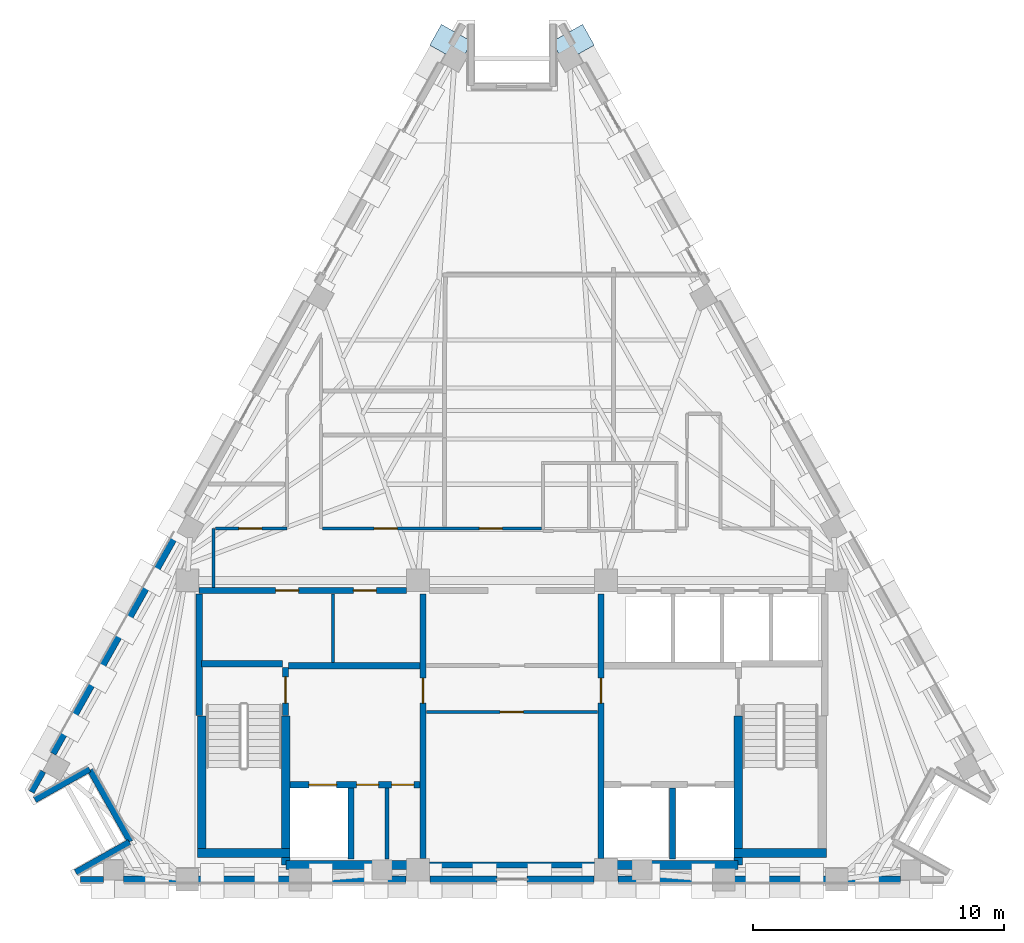
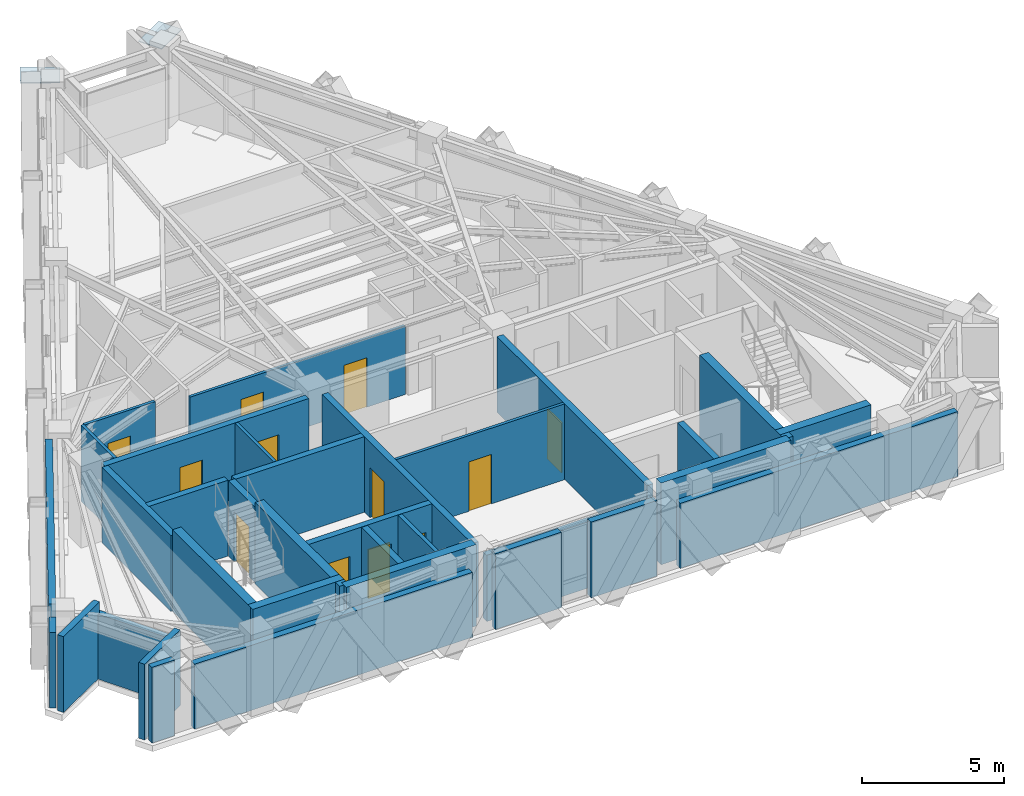
# One storey, part 5 of 9: 34 walls, 12 doors, 2 plates, 12 openings.
"""IFC4 building model written with IfcOpenShell, lengths in metres."""

from ifc_helpers import new_model, si_unit, direction, frame, frame_2d, origin, origin_2d, place, context, subcontext, project, spatial, rectangle, extrude, material, layer, layer_set, type_object, element, fill, save


model = new_model("IFC4")

# Units and contexts
model_context = context("Model", 3, precision=1e-05, world=origin(), true_north=direction((0.0, 1.0)))
body_context = subcontext(model_context, "Body", "Model", "MODEL_VIEW")
ifc_project = project(units=[si_unit("LENGTHUNIT", "METRE"), si_unit("AREAUNIT", "SQUARE_METRE"), si_unit("VOLUMEUNIT", "CUBIC_METRE"), si_unit("PLANEANGLEUNIT", "RADIAN"), si_unit("MASSUNIT", "GRAM", prefix="KILO")], contexts=[model_context])

# Site, building, storey
site_placement = place(None, origin())
site = spatial("IfcSite", under=ifc_project, at=site_placement, CompositionType="ELEMENT")
building_placement = place(site_placement, origin())
building = spatial("IfcBuilding", under=site, at=building_placement, Name="Quenlor Broadcast Tower", CompositionType="ELEMENT")
storey_placement = place(building_placement, frame((0.0, 0.0, 246.39990234375)))
storey = spatial("IfcBuildingStorey", under=building, at=storey_placement, Name="L68", CompositionType="ELEMENT", Elevation=246.39990234375)

# Plates
ifc_material_1 = material(Name="Steel S355", Category="steel")
ifc_layer_1 = layer(ifc_material_1, 0.035888671875)
ifc_layer_set_1 = layer_set([ifc_layer_1], Name="Transfer Truss Steel S355 Gusset Node Plate 1400x950x36")
plate_type = type_object("IfcPlateType", Name="Transfer Truss Steel S355 Gusset Node Plate 1400x950x36", PredefinedType="SHEET", material=ifc_layer_set_1)
for number, where, z_axis, x_axis, name in (
    (1, (2.438232421875, 16.626708984375, 3.18212890625), (0.0, 0.0, 1.0), (0.871556314255, 0.490295412055, 0.0), "L68 Lattice Tie Gusset Node NE-T0"),
    (2, (-2.438232421875, 16.626708984375, 3.18212890625), (0.0, 0.0, 1.0), (-0.871556314255, 0.490295412055, 0.0), "L68 Lattice Tie Gusset Node NW-T15"),
):
    element("IfcPlate", number, at=place(storey_placement, frame(where, z_axis=z_axis, x_axis=x_axis)), inside=storey, type_object=plate_type, Name=name, PredefinedType="SHEET", context=body_context, shape_type="SweptSolid", body=[
        extrude(rectangle(XDim=1.39990234375, YDim=0.949951171875, at=origin_2d()), origin(), (0.0, 0.0, 1.0), 0.035888671875),
    ])

# Walls
ifc_material_2 = material(Name="Concrete C50/60", Category="concrete")
ifc_layer_2 = layer(ifc_material_2, 0.35009765625)
ifc_layer_set_2 = layer_set([ifc_layer_2], Name="Core Concrete C50/60 Shear Wall 350")
wall_type_1 = type_object("IfcWallType", Name="Core Concrete C50/60 Shear Wall 350", PredefinedType="SHEAR", material=ifc_layer_set_2)
wall_1_placement = place(storey_placement, frame((-12.550048828125, -15.675048828125, 0.0), z_axis=(0.0, 0.0, 1.0), x_axis=(1.0, 0.0, 0.0)))
element("IfcWall", 3, at=wall_1_placement, inside=storey, type_object=wall_type_1, Name="L68 Core Shear Wall WS-W1", PredefinedType="SHEAR", context=body_context, shape_type="SweptSolid", body=[
    extrude(rectangle(XDim=3.699951171875, YDim=0.35009765625, at=frame_2d((1.85009765625, 0.0))), origin(), (0.0, 0.0, 1.0), 3.5),
])
for number, where, z_axis, x_axis, name in (
    (4, (-9.02490234375, -16.14990234375, 0.0), (0.0, 0.0, 1.0), (1.0, 0.0, 0.0), "L68 Core Shear Wall WS-W2"),
    (5, (3.75, -16.14990234375, 0.0), (0.0, 0.0, 1.0), (1.0, 0.0, 0.0), "L68 Core Shear Wall WS-E1"),
):
    element("IfcWall", number, at=place(storey_placement, frame(where, z_axis=z_axis, x_axis=x_axis)), inside=storey, type_object=wall_type_1, Name=name, PredefinedType="SHEAR", context=body_context, shape_type="SweptSolid", body=[
        extrude(rectangle(XDim=5.27490234375, YDim=0.35009765625, at=frame_2d((2.637451171875, 0.0))), origin(), (0.0, 0.0, 1.0), 3.5),
    ])
wall_2_placement = place(storey_placement, frame((8.85009765625, -15.675048828125, 0.0), z_axis=(0.0, 0.0, 1.0), x_axis=(1.0, 0.0, 0.0)))
element("IfcWall", 6, at=wall_2_placement, inside=storey, type_object=wall_type_1, Name="L68 Core Shear Wall WS-E2", PredefinedType="SHEAR", context=body_context, shape_type="SweptSolid", body=[
    extrude(rectangle(XDim=3.699951171875, YDim=0.35009765625, at=frame_2d((1.85009765625, 0.0))), origin(), (0.0, 0.0, 1.0), 3.5),
])
wall_3_placement = place(storey_placement, frame((-12.375, -15.675048828125, 0.0), z_axis=(0.0, 0.0, 1.0), x_axis=(0.0, 1.0, 0.0)))
element("IfcWall", 7, at=wall_3_placement, inside=storey, type_object=wall_type_1, Name="L68 Core Shear Wall WF-W", PredefinedType="SHEAR", context=body_context, shape_type="SweptSolid", body=[
    extrude(rectangle(XDim=5.47509765625, YDim=0.35009765625, at=frame_2d((2.737548828125, 0.0))), origin(), (0.0, 0.0, 1.0), 3.5),
])
for number, where, z_axis, x_axis, name in (
    (8, (-9.02490234375, -16.14990234375, 0.0), (0.0, 0.0, 1.0), (0.0, 1.0, 0.0), "L68 Core Shear Wall WI-W"),
    (9, (9.02490234375, -16.14990234375, 0.0), (0.0, 0.0, 1.0), (0.0, 1.0, 0.0), "L68 Core Shear Wall WI-E"),
):
    element("IfcWall", number, at=place(storey_placement, frame(where, z_axis=z_axis, x_axis=x_axis)), inside=storey, type_object=wall_type_1, Name=name, PredefinedType="SHEAR", context=body_context, shape_type="SweptSolid", body=[
        extrude(rectangle(XDim=5.949951171875, YDim=0.35009765625, at=frame_2d((2.97509765625, 0.0))), origin(), (0.0, 0.0, 1.0), 3.5),
    ])

# Wall, opening, door
ifc_material_3 = material(Name="Concrete C40/50", Category="concrete")
ifc_layer_3 = layer(ifc_material_3, 0.25)
ifc_layer_set_3 = layer_set([ifc_layer_3], Name="Fire Rated Concrete C40/50 Core Wall 250")
wall_type_2 = type_object("IfcWallType", Name="Fire Rated Concrete C40/50 Core Wall 250", PredefinedType="PARTITIONING", material=ifc_layer_set_3)
wall_4_placement = place(storey_placement, frame((-9.0400390625, -10.179931640625, 0.0), z_axis=(0.0, 0.0, 1.0), x_axis=(0.0, 1.0, 0.0)))
wall_4 = element("IfcWall", 10, at=wall_4_placement, inside=storey, type_object=wall_type_2, Name="L68 Interior Wall CW-ST1-DR", PredefinedType="PARTITIONING", context=body_context, shape_type="SweptSolid", body=[
    extrude(rectangle(XDim=1.89990234375, YDim=0.25, at=frame_2d((0.949951171875, 0.0))), origin(), (0.0, 0.0, 1.0), 3.25),
])
opening_1_placement = place(wall_4_placement, frame((0.47998046875, 0.0, 0.0)))
opening_1 = element("IfcOpeningElement", 11, at=opening_1_placement, cuts=wall_4, Name="Opening FD-1", PredefinedType="OPENING", context=body_context, shape_type="SweptSolid", body=[
    extrude(rectangle(XDim=1.050048828125, YDim=2.14990234375, at=frame_2d((0.52490234375, 1.074951171875))), frame((0.0, 0.135009765625, 0.0), z_axis=(0.0, -1.0, 0.0), x_axis=(1.0, 0.0, 0.0)), (0.0, 0.0, 1.0), 0.27001953125),
])
ifc_material_4 = material(Name="Fire Rated Steel Door Leaf", Category="steel")
door_type_1 = type_object("IfcDoorType", Name="Fire Isolated Stair Door 1050x2150", OperationType="NOTDEFINED", PredefinedType="DOOR", material=ifc_material_4)
door_1_placement = place(opening_1_placement, origin())
door_1 = element("IfcDoor", 12, at=door_1_placement, inside=storey, type_object=door_type_1, Name="L68 Door DR-ST1", OperationType="SINGLE_SWING_LEFT", OverallHeight=2.14990234375, OverallWidth=1.050048828125, PredefinedType="DOOR", context=body_context, shape_type="SweptSolid", body=[
    extrude(rectangle(XDim=1.050048828125, YDim=2.14990234375, at=frame_2d((0.52490234375, 1.074951171875))), frame((0.0, 0.02490234375, 0.0), z_axis=(0.0, -1.0, 0.0), x_axis=(1.0, 0.0, 0.0)), (0.0, 0.0, 1.0), 0.050048828125),
])
fill(opening_1, door_1)

# Walls
wall_5_placement = place(storey_placement, frame((-12.3798828125, -8.1201171875, 0.0), z_axis=(0.0, 0.0, 1.0), x_axis=(1.0, 0.0, 0.0)))
element("IfcWall", 13, at=wall_5_placement, inside=storey, type_object=wall_type_2, Name="L68 Interior Wall CW-ST1-N", PredefinedType="PARTITIONING", context=body_context, shape_type="SweptSolid", body=[
    extrude(rectangle(XDim=3.219970703125, YDim=0.25, at=frame_2d((1.60986328125, 0.0))), origin(), (0.0, 0.0, 1.0), 3.25),
])
wall_6_placement = place(storey_placement, frame((-12.47998046875, -10.179931640625, 0.0), z_axis=(0.0, 0.0, 1.0), x_axis=(0.0, 1.0, 0.0)))
element("IfcWall", 14, at=wall_6_placement, inside=storey, type_object=wall_type_2, Name="L68 Interior Wall CW-ST1-W2", PredefinedType="PARTITIONING", context=body_context, shape_type="SweptSolid", body=[
    extrude(rectangle(XDim=4.83984375, YDim=0.25, at=frame_2d((2.419921875, 0.0))), origin(), (0.0, 0.0, 1.0), 3.25),
])

# Wall, openings, doors
wall_7_placement = place(storey_placement, frame((-8.847900390625, -12.949951171875, 0.0), z_axis=(0.0, 0.0, 1.0), x_axis=(1.0, 0.0, 0.0)))
wall_7 = element("IfcWall", 15, at=wall_7_placement, inside=storey, type_object=wall_type_2, Name="L68 Interior Wall CW-FFW-S", PredefinedType="PARTITIONING", context=body_context, shape_type="SweptSolid", body=[
    extrude(rectangle(XDim=5.16796875, YDim=0.25, at=frame_2d((2.583984375, 0.0))), origin(), (0.0, 0.0, 1.0), 3.25),
])
opening_2_placement = place(wall_7_placement, frame((0.748046875, 0.0, 0.0)))
opening_2 = element("IfcOpeningElement", 16, at=opening_2_placement, cuts=wall_7, Name="Opening LD-FFL-1", PredefinedType="OPENING", context=body_context, shape_type="SweptSolid", body=[
    extrude(rectangle(XDim=1.10009765625, YDim=2.14990234375, at=frame_2d((0.550048828125, 1.074951171875))), frame((0.0, 0.135009765625, 0.0), z_axis=(0.0, -1.0, 0.0), x_axis=(1.0, 0.0, 0.0)), (0.0, 0.0, 1.0), 0.27001953125),
])
opening_3_placement = place(wall_7_placement, frame((2.64794921875, 0.0, 0.0)))
opening_3 = element("IfcOpeningElement", 17, at=opening_3_placement, cuts=wall_7, Name="Opening TD-1", PredefinedType="OPENING", context=body_context, shape_type="SweptSolid", body=[
    extrude(rectangle(XDim=0.8798828125, YDim=2.10009765625, at=frame_2d((0.43994140625, 1.050048828125))), frame((0.0, 0.135009765625, 0.0), z_axis=(0.0, -1.0, 0.0), x_axis=(1.0, 0.0, 0.0)), (0.0, 0.0, 1.0), 0.27001953125),
])
opening_4_placement = place(wall_7_placement, frame((4.048095703125, 0.0, 0.0)))
opening_4 = element("IfcOpeningElement", 18, at=opening_4_placement, cuts=wall_7, Name="Opening TD-1", PredefinedType="OPENING", context=body_context, shape_type="SweptSolid", body=[
    extrude(rectangle(XDim=0.8798828125, YDim=2.10009765625, at=frame_2d((0.43994140625, 1.050048828125))), frame((0.0, 0.135009765625, 0.0), z_axis=(0.0, -1.0, 0.0), x_axis=(1.0, 0.0, 0.0)), (0.0, 0.0, 1.0), 0.27001953125),
])
ifc_material_5 = material(Name="Brushed Stainless Steel", Category="steel")
door_type_2 = type_object("IfcDoorType", Name="Emergency Lift Sliding Landing Door 1100x2150", OperationType="NOTDEFINED", PredefinedType="DOOR", material=ifc_material_5)
door_2_placement = place(opening_2_placement, origin())
door_2 = element("IfcDoor", 19, at=door_2_placement, inside=storey, type_object=door_type_2, Name="L68 Door LD-FFL-1", OperationType="SLIDING_TO_LEFT", OverallHeight=2.14990234375, OverallWidth=1.10009765625, PredefinedType="DOOR", context=body_context, shape_type="SweptSolid", body=[
    extrude(rectangle(XDim=1.10009765625, YDim=2.14990234375, at=frame_2d((0.550048828125, 1.074951171875))), frame((0.0, 0.02490234375, 0.0), z_axis=(0.0, -1.0, 0.0), x_axis=(1.0, 0.0, 0.0)), (0.0, 0.0, 1.0), 0.050048828125),
])
fill(opening_2, door_2)
ifc_material_6 = material(Name="Fire Rated Steel Access Panel", Category="steel")
door_type_3 = type_object("IfcDoorType", Name="Riser Shaft Rated Access Trapdoor 880x2100", OperationType="NOTDEFINED", PredefinedType="TRAPDOOR", material=ifc_material_6)
door_3_placement = place(opening_3_placement, origin())
door_3 = element("IfcDoor", 20, at=door_3_placement, inside=storey, type_object=door_type_3, Name="L68 Door DR-ELR", OperationType="SINGLE_SWING_LEFT", OverallHeight=2.10009765625, OverallWidth=0.8798828125, PredefinedType="TRAPDOOR", context=body_context, shape_type="SweptSolid", body=[
    extrude(rectangle(XDim=0.8798828125, YDim=2.10009765625, at=frame_2d((0.43994140625, 1.050048828125))), frame((0.0, 0.02490234375, 0.0), z_axis=(0.0, -1.0, 0.0), x_axis=(1.0, 0.0, 0.0)), (0.0, 0.0, 1.0), 0.050048828125),
])
fill(opening_3, door_3)
door_4_placement = place(opening_4_placement, origin())
door_4 = element("IfcDoor", 21, at=door_4_placement, inside=storey, type_object=door_type_3, Name="L68 Door DR-CMR", OperationType="SINGLE_SWING_RIGHT", OverallHeight=2.10009765625, OverallWidth=0.8798828125, PredefinedType="TRAPDOOR", context=body_context, shape_type="SweptSolid", body=[
    extrude(rectangle(XDim=0.8798828125, YDim=2.10009765625, at=frame_2d((0.43994140625, 1.050048828125))), frame((0.0, 0.02490234375, 0.0), z_axis=(0.0, -1.0, 0.0), x_axis=(1.0, 0.0, 0.0)), (0.0, 0.0, 1.0), 0.050048828125),
])
fill(opening_4, door_4)

# Walls
for number, where, z_axis, x_axis, name in (
    (22, (-6.419921875, -15.919921875, 0.0), (0.0, 0.0, 1.0), (0.0, 1.0, 0.0), "L68 Interior Wall CW-FF1-E"),
    (23, (6.39990234375, -15.919921875, 0.0), (0.0, 0.0, 1.0), (0.0, 1.0, 0.0), "L68 Interior Wall CW-SV1-E"),
):
    element("IfcWall", number, at=place(storey_placement, frame(where, z_axis=z_axis, x_axis=x_axis)), inside=storey, type_object=wall_type_2, Name=name, PredefinedType="PARTITIONING", context=body_context, shape_type="SweptSolid", body=[
        extrude(rectangle(XDim=2.829833984375, YDim=0.25, at=frame_2d((1.4150390625, 0.0))), origin(), (0.0, 0.0, 1.0), 3.25),
    ])
wall_8_placement = place(storey_placement, frame((-8.919921875, -8.199951171875, 0.0), z_axis=(0.0, 0.0, 1.0), x_axis=(1.0, 0.0, 0.0)))
element("IfcWall", 24, at=wall_8_placement, inside=storey, type_object=wall_type_2, Name="L68 Interior Wall CW-FFW-N", PredefinedType="PARTITIONING", context=body_context, shape_type="SweptSolid", body=[
    extrude(rectangle(XDim=5.239990234375, YDim=0.25, at=frame_2d((2.6201171875, 0.0))), origin(), (0.0, 0.0, 1.0), 3.25),
])

# Wall, opening, door
wall_9_placement = place(storey_placement, frame((-3.550048828125, -15.89794921875, 0.0), z_axis=(0.0, 0.0, 1.0), x_axis=(0.0, 1.0, 0.0)))
wall_9 = element("IfcWall", 25, at=wall_9_placement, inside=storey, type_object=wall_type_2, Name="L68 Interior Wall CW-FFW-E", PredefinedType="PARTITIONING", context=body_context, shape_type="SweptSolid", body=[
    extrude(rectangle(XDim=10.557861328125, YDim=0.25, at=frame_2d((5.27880859375, 0.0))), origin(), (0.0, 0.0, 1.0), 3.25),
])
opening_5_placement = place(wall_9_placement, frame((6.197998046875, 0.0, 0.0)))
opening_5 = element("IfcOpeningElement", 26, at=opening_5_placement, cuts=wall_9, Name="Opening FD-2", PredefinedType="OPENING", context=body_context, shape_type="SweptSolid", body=[
    extrude(rectangle(XDim=1.0, YDim=2.14990234375, at=frame_2d((0.5, 1.074951171875))), frame((0.0, 0.135009765625, 0.0), z_axis=(0.0, -1.0, 0.0), x_axis=(1.0, 0.0, 0.0)), (0.0, 0.0, 1.0), 0.27001953125),
])
ifc_material_7 = material(Name="Fire Rated Glazed Steel Door", Category="steel")
door_type_4 = type_object("IfcDoorType", Name="Firefighting Lobby Smoke Door 1000x2150", OperationType="NOTDEFINED", PredefinedType="DOOR", material=ifc_material_7)
door_5_placement = place(opening_5_placement, origin())
door_5 = element("IfcDoor", 27, at=door_5_placement, inside=storey, type_object=door_type_4, Name="L68 Door DR-FFLW", OperationType="SINGLE_SWING_RIGHT", OverallHeight=2.14990234375, OverallWidth=1.0, PredefinedType="DOOR", context=body_context, shape_type="SweptSolid", body=[
    extrude(rectangle(XDim=1.0, YDim=2.14990234375, at=frame_2d((0.5, 1.074951171875))), frame((0.0, 0.02490234375, 0.0), z_axis=(0.0, -1.0, 0.0), x_axis=(1.0, 0.0, 0.0)), (0.0, 0.0, 1.0), 0.050048828125),
])
fill(opening_5, door_5)

wall_10_placement = place(storey_placement, frame((3.550048828125, -15.89794921875, 0.0), z_axis=(0.0, 0.0, 1.0), x_axis=(0.0, 1.0, 0.0)))
wall_10 = element("IfcWall", 28, at=wall_10_placement, inside=storey, type_object=wall_type_2, Name="L68 Interior Wall CW-FFE-W", PredefinedType="PARTITIONING", context=body_context, shape_type="SweptSolid", body=[
    extrude(rectangle(XDim=10.557861328125, YDim=0.25, at=frame_2d((5.27880859375, 0.0))), origin(), (0.0, 0.0, 1.0), 3.25),
])
opening_6_placement = place(wall_10_placement, frame((6.197998046875, 0.0, 0.0)))
opening_6 = element("IfcOpeningElement", 29, at=opening_6_placement, cuts=wall_10, Name="Opening FD-2", PredefinedType="OPENING", context=body_context, shape_type="SweptSolid", body=[
    extrude(rectangle(XDim=1.0, YDim=2.14990234375, at=frame_2d((0.5, 1.074951171875))), frame((0.0, 0.135009765625, 0.0), z_axis=(0.0, -1.0, 0.0), x_axis=(1.0, 0.0, 0.0)), (0.0, 0.0, 1.0), 0.27001953125),
])
door_6_placement = place(opening_6_placement, origin())
door_6 = element("IfcDoor", 30, at=door_6_placement, inside=storey, type_object=door_type_4, Name="L68 Door DR-FFLE", OperationType="SINGLE_SWING_LEFT", OverallHeight=2.14990234375, OverallWidth=1.0, PredefinedType="DOOR", context=body_context, shape_type="SweptSolid", body=[
    extrude(rectangle(XDim=1.0, YDim=2.14990234375, at=frame_2d((0.5, 1.074951171875))), frame((0.0, 0.02490234375, 0.0), z_axis=(0.0, -1.0, 0.0), x_axis=(1.0, 0.0, 0.0)), (0.0, 0.0, 1.0), 0.050048828125),
])
fill(opening_6, door_6)

# Wall, openings, doors
wall_11_placement = place(storey_placement, frame((-12.47998046875, -5.199951171875, 0.0), z_axis=(0.0, 0.0, 1.0), x_axis=(1.0, 0.0, 0.0)))
wall_11 = element("IfcWall", 31, at=wall_11_placement, inside=storey, type_object=wall_type_2, Name="L68 Interior Wall CW-N-W", PredefinedType="PARTITIONING", context=body_context, shape_type="SweptSolid", body=[
    extrude(rectangle(XDim=8.278076171875, YDim=0.25, at=frame_2d((4.13916015625, 0.0))), origin(), (0.0, 0.0, 1.0), 3.25),
])
opening_7_placement = place(wall_11_placement, frame((3.050048828125, 0.0, 0.0)))
opening_7 = element("IfcOpeningElement", 32, at=opening_7_placement, cuts=wall_11, Name="Opening ID-1", PredefinedType="OPENING", context=body_context, shape_type="SweptSolid", body=[
    extrude(rectangle(XDim=0.919921875, YDim=2.1201171875, at=frame_2d((0.4599609375, 1.06005859375))), frame((0.0, 0.135009765625, 0.0), z_axis=(0.0, -1.0, 0.0), x_axis=(1.0, 0.0, 0.0)), (0.0, 0.0, 1.0), 0.27001953125),
])
opening_8_placement = place(wall_11_placement, frame((6.14990234375, 0.0, 0.0)))
opening_8 = element("IfcOpeningElement", 33, at=opening_8_placement, cuts=wall_11, Name="Opening ID-1", PredefinedType="OPENING", context=body_context, shape_type="SweptSolid", body=[
    extrude(rectangle(XDim=0.919921875, YDim=2.1201171875, at=frame_2d((0.4599609375, 1.06005859375))), frame((0.0, 0.135009765625, 0.0), z_axis=(0.0, -1.0, 0.0), x_axis=(1.0, 0.0, 0.0)), (0.0, 0.0, 1.0), 0.27001953125),
])
ifc_material_8 = material(Name="Solid Core Timber Oak", Category="wood")
door_type_5 = type_object("IfcDoorType", Name="Single Leaf Timber Office Door 920x2120", OperationType="NOTDEFINED", PredefinedType="DOOR", material=ifc_material_8)
door_7_placement = place(opening_7_placement, origin())
door_7 = element("IfcDoor", 34, at=door_7_placement, inside=storey, type_object=door_type_5, Name="L68 Door DR-RCL1", OperationType="SINGLE_SWING_LEFT", OverallHeight=2.1201171875, OverallWidth=0.919921875, PredefinedType="DOOR", context=body_context, shape_type="SweptSolid", body=[
    extrude(rectangle(XDim=0.919921875, YDim=2.1201171875, at=frame_2d((0.4599609375, 1.06005859375))), frame((0.0, 0.02490234375, 0.0), z_axis=(0.0, -1.0, 0.0), x_axis=(1.0, 0.0, 0.0)), (0.0, 0.0, 1.0), 0.050048828125),
])
fill(opening_7, door_7)
door_8_placement = place(opening_8_placement, origin())
door_8 = element("IfcDoor", 35, at=door_8_placement, inside=storey, type_object=door_type_5, Name="L68 Door DR-RCL2", OperationType="SINGLE_SWING_RIGHT", OverallHeight=2.1201171875, OverallWidth=0.919921875, PredefinedType="DOOR", context=body_context, shape_type="SweptSolid", body=[
    extrude(rectangle(XDim=0.919921875, YDim=2.1201171875, at=frame_2d((0.4599609375, 1.06005859375))), frame((0.0, 0.02490234375, 0.0), z_axis=(0.0, -1.0, 0.0), x_axis=(1.0, 0.0, 0.0)), (0.0, 0.0, 1.0), 0.050048828125),
])
fill(opening_8, door_8)

# Walls
wall_12_placement = place(storey_placement, frame((-3.298095703125, -16.14990234375, 0.0), z_axis=(0.0, 0.0, 1.0), x_axis=(1.0, 0.0, 0.0)))
element("IfcWall", 36, at=wall_12_placement, inside=storey, type_object=wall_type_2, Name="L68 Interior Wall CW-MS-S", PredefinedType="PARTITIONING", context=body_context, shape_type="SweptSolid", body=[
    extrude(rectangle(XDim=6.59619140625, YDim=0.25, at=frame_2d((3.298095703125, 0.0))), origin(), (0.0, 0.0, 1.0), 2.84375),
])
ifc_material_9 = material(Name="Gypsum Fireboard Partition", Category="other")
ifc_layer_4 = layer(ifc_material_9, 0.159912109375)
ifc_layer_set_4 = layer_set([ifc_layer_4], Name="Fire Rated Shaft and Corridor Partition 160")
wall_type_3 = type_object("IfcWallType", Name="Fire Rated Shaft and Corridor Partition 160", PredefinedType="PARTITIONING", material=ifc_layer_set_4)
wall_13_placement = place(storey_placement, frame((-4.97998046875, -15.919921875, 0.0), z_axis=(0.0, 0.0, 1.0), x_axis=(0.0, 1.0, 0.0)))
element("IfcWall", 37, at=wall_13_placement, inside=storey, type_object=wall_type_3, Name="L68 Interior Wall CW-ELR-E", PredefinedType="PARTITIONING", context=body_context, shape_type="SweptSolid", body=[
    extrude(rectangle(XDim=2.829833984375, YDim=0.159912109375, at=frame_2d((1.4150390625, 0.0))), origin(), (0.0, 0.0, 1.0), 3.25),
])
ifc_material_10 = material(Name="Gypsum Plasterboard Partition", Category="other")
ifc_layer_5 = layer(ifc_material_10, 0.1201171875)
ifc_layer_set_5 = layer_set([ifc_layer_5], Name="Standard Office Partition 120")
wall_type_4 = type_object("IfcWallType", Name="Standard Office Partition 120", PredefinedType="PARTITIONING", material=ifc_layer_set_5)
wall_14_placement = place(storey_placement, frame((-7.14990234375, -8.072998046875, 0.0), z_axis=(0.0, 0.0, 1.0), x_axis=(0.0, 1.0, 0.0)))
element("IfcWall", 38, at=wall_14_placement, inside=storey, type_object=wall_type_4, Name="L68 Interior Wall CW-RCL-MID", PredefinedType="PARTITIONING", context=body_context, shape_type="SweptSolid", body=[
    extrude(rectangle(XDim=2.73291015625, YDim=0.1201171875, at=frame_2d((1.366455078125, 0.0))), origin(), (0.0, 0.0, 1.0), 3.25),
])

# Wall, opening, door
wall_15_placement = place(storey_placement, frame((-3.419921875, -10.050048828125, 0.0), z_axis=(0.0, 0.0, 1.0), x_axis=(1.0, 0.0, 0.0)))
wall_15 = element("IfcWall", 39, at=wall_15_placement, inside=storey, type_object=wall_type_4, Name="L68 Interior Wall CW-MS-N", PredefinedType="PARTITIONING", context=body_context, shape_type="SweptSolid", body=[
    extrude(rectangle(XDim=6.83984375, YDim=0.1201171875, at=frame_2d((3.419921875, 0.0))), origin(), (0.0, 0.0, 1.0), 3.25),
])
opening_9_placement = place(wall_15_placement, frame((2.949951171875, 0.0, 0.0)))
opening_9 = element("IfcOpeningElement", 40, at=opening_9_placement, cuts=wall_15, Name="Opening ID-1", PredefinedType="OPENING", context=body_context, shape_type="SweptSolid", body=[
    extrude(rectangle(XDim=0.919921875, YDim=2.1201171875, at=frame_2d((0.4599609375, 1.06005859375))), frame((0.0, 0.070068359375, 0.0), z_axis=(0.0, -1.0, 0.0), x_axis=(1.0, 0.0, 0.0)), (0.0, 0.0, 1.0), 0.14013671875),
])
door_9_placement = place(opening_9_placement, origin())
door_9 = element("IfcDoor", 41, at=door_9_placement, inside=storey, type_object=door_type_5, Name="L68 Door DR-RCMA", OperationType="SINGLE_SWING_LEFT", OverallHeight=2.1201171875, OverallWidth=0.919921875, PredefinedType="DOOR", context=body_context, shape_type="SweptSolid", body=[
    extrude(rectangle(XDim=0.919921875, YDim=2.1201171875, at=frame_2d((0.4599609375, 1.06005859375))), frame((0.0, 0.02490234375, 0.0), z_axis=(0.0, -1.0, 0.0), x_axis=(1.0, 0.0, 0.0)), (0.0, 0.0, 1.0), 0.050048828125),
])
fill(opening_9, door_9)

# Wall
wall_16_placement = place(storey_placement, frame((-11.89990234375, -5.072998046875, 0.0), z_axis=(0.0, 0.0, 1.0), x_axis=(0.0, 1.0, 0.0)))
element("IfcWall", 42, at=wall_16_placement, inside=storey, type_object=wall_type_4, Name="L68 Interior Wall PW-CR-01", PredefinedType="PARTITIONING", context=body_context, shape_type="SweptSolid", body=[
    extrude(rectangle(XDim=2.343017578125, YDim=0.1201171875, at=frame_2d((1.17138671875, 0.0))), origin(), (0.0, 0.0, 1.0), 3.25),
])

# Wall, opening, door
wall_17_placement = place(storey_placement, frame((-11.837890625, -2.72998046875, 0.0), z_axis=(0.0, 0.0, 1.0), x_axis=(1.0, 0.0, 0.0)))
wall_17 = element("IfcWall", 43, at=wall_17_placement, inside=storey, type_object=wall_type_4, Name="L68 Interior Wall PW-CR-02", PredefinedType="PARTITIONING", context=body_context, shape_type="SweptSolid", body=[
    extrude(rectangle(XDim=2.867919921875, YDim=0.1201171875, at=frame_2d((1.43408203125, 0.0))), origin(), (0.0, 0.0, 1.0), 3.25),
])
opening_10_placement = place(wall_17_placement, frame((0.943115234375, 0.0, 0.0)))
opening_10 = element("IfcOpeningElement", 44, at=opening_10_placement, cuts=wall_17, Name="Opening ID-1", PredefinedType="OPENING", context=body_context, shape_type="SweptSolid", body=[
    extrude(rectangle(XDim=0.919921875, YDim=2.1201171875, at=frame_2d((0.4599609375, 1.06005859375))), frame((0.0, 0.070068359375, 0.0), z_axis=(0.0, -1.0, 0.0), x_axis=(1.0, 0.0, 0.0)), (0.0, 0.0, 1.0), 0.14013671875),
])
door_10_placement = place(opening_10_placement, origin())
door_10 = element("IfcDoor", 45, at=door_10_placement, inside=storey, type_object=door_type_5, Name="L68 Door DR-RM07", OperationType="SINGLE_SWING_RIGHT", OverallHeight=2.1201171875, OverallWidth=0.919921875, PredefinedType="DOOR", context=body_context, shape_type="SweptSolid", body=[
    extrude(rectangle(XDim=0.919921875, YDim=2.1201171875, at=frame_2d((0.4599609375, 1.06005859375))), frame((0.0, 0.02490234375, 0.0), z_axis=(0.0, -1.0, 0.0), x_axis=(1.0, 0.0, 0.0)), (0.0, 0.0, 1.0), 0.050048828125),
])
fill(opening_10, door_10)

# Wall, openings, doors
wall_18_placement = place(storey_placement, frame((-7.568115234375, -2.72998046875, 0.0), z_axis=(0.0, 0.0, 1.0), x_axis=(1.0, 0.0, 0.0)))
wall_18 = element("IfcWall", 46, at=wall_18_placement, inside=storey, type_object=wall_type_4, Name="L68 Interior Wall PW-CR-06", PredefinedType="PARTITIONING", context=body_context, shape_type="SweptSolid", body=[
    extrude(rectangle(XDim=8.74609375, YDim=0.1201171875, at=frame_2d((4.373046875, 0.0))), origin(), (0.0, 0.0, 1.0), 2.94287109375),
])
opening_11_placement = place(wall_18_placement, frame((6.263916015625, 0.0, 0.0)))
opening_11 = element("IfcOpeningElement", 47, at=opening_11_placement, cuts=wall_18, Name="Opening ID-1", PredefinedType="OPENING", context=body_context, shape_type="SweptSolid", body=[
    extrude(rectangle(XDim=0.919921875, YDim=2.1201171875, at=frame_2d((0.4599609375, 1.06005859375))), frame((0.0, 0.070068359375, 0.0), z_axis=(0.0, -1.0, 0.0), x_axis=(1.0, 0.0, 0.0)), (0.0, 0.0, 1.0), 0.14013671875),
])
opening_12_placement = place(wall_18_placement, frame((2.072021484375, 0.0, 0.0)))
opening_12 = element("IfcOpeningElement", 48, at=opening_12_placement, cuts=wall_18, Name="Opening ID-1", PredefinedType="OPENING", context=body_context, shape_type="SweptSolid", body=[
    extrude(rectangle(XDim=0.919921875, YDim=2.1201171875, at=frame_2d((0.4599609375, 1.06005859375))), frame((0.0, 0.070068359375, 0.0), z_axis=(0.0, -1.0, 0.0), x_axis=(1.0, 0.0, 0.0)), (0.0, 0.0, 1.0), 0.14013671875),
])
door_11_placement = place(opening_11_placement, origin())
door_11 = element("IfcDoor", 49, at=door_11_placement, inside=storey, type_object=door_type_5, Name="L68 Door DR-RM02", OperationType="SINGLE_SWING_LEFT", OverallHeight=2.1201171875, OverallWidth=0.919921875, PredefinedType="DOOR", context=body_context, shape_type="SweptSolid", body=[
    extrude(rectangle(XDim=0.919921875, YDim=2.1201171875, at=frame_2d((0.4599609375, 1.06005859375))), frame((0.0, 0.02490234375, 0.0), z_axis=(0.0, -1.0, 0.0), x_axis=(1.0, 0.0, 0.0)), (0.0, 0.0, 1.0), 0.050048828125),
])
fill(opening_11, door_11)
door_12_placement = place(opening_12_placement, origin())
door_12 = element("IfcDoor", 50, at=door_12_placement, inside=storey, type_object=door_type_5, Name="L68 Door DR-RM06", OperationType="SINGLE_SWING_LEFT", OverallHeight=2.1201171875, OverallWidth=0.919921875, PredefinedType="DOOR", context=body_context, shape_type="SweptSolid", body=[
    extrude(rectangle(XDim=0.919921875, YDim=2.1201171875, at=frame_2d((0.4599609375, 1.06005859375))), frame((0.0, 0.02490234375, 0.0), z_axis=(0.0, -1.0, 0.0), x_axis=(1.0, 0.0, 0.0)), (0.0, 0.0, 1.0), 0.050048828125),
])
fill(opening_12, door_12)

# Walls
ifc_material_11 = material(Name="Precast concrete C40/50", Category="concrete")
ifc_layer_6 = layer(ifc_material_11, 0.239990234375)
ifc_layer_set_6 = layer_set([ifc_layer_6], Name="Terrace Threshold Precast Concrete C40/50 Wall 240")
wall_type_5 = type_object("IfcWallType", Name="Terrace Threshold Precast Concrete C40/50 Wall 240", PredefinedType="STANDARD", material=ifc_layer_set_6)
wall_19_placement = place(storey_placement, frame((-16.302490234375, -16.72509765625, 0.0), z_axis=(0.0, 0.0, 1.0), x_axis=(-1.0, 0.0, 0.0)))
element("IfcWall", 51, at=wall_19_placement, inside=storey, type_object=wall_type_5, Name="L68 Exterior Wall L68-SHD-SS1", PredefinedType="STANDARD", context=body_context, shape_type="SweptSolid", body=[
    extrude(rectangle(XDim=0.91748046875, YDim=0.239990234375, at=frame_2d((0.458740234375, 0.0))), origin(), (0.0, 0.0, 1.0), 3.25),
])
wall_20_placement = place(storey_placement, frame((-19.1708984375, -13.242431640625, 0.0), z_axis=(0.0, 0.0, 1.0), x_axis=(0.490199895283, 0.871610040479, 0.0)))
element("IfcWall", 52, at=wall_20_placement, inside=storey, type_object=wall_type_5, Name="L68 Exterior Wall L68-SHD-NWS0", PredefinedType="STANDARD", context=body_context, shape_type="SweptSolid", body=[
    extrude(rectangle(XDim=0.94482421875, YDim=0.239990234375, at=frame_2d((0.472412109375, 0.0))), origin(), (0.0, 0.0, 1.0), 3.25),
])
wall_21_placement = place(storey_placement, frame((-19.033447265625, -13.556396484375, 0.0), z_axis=(0.0, 0.0, 1.0), x_axis=(0.871588577066, 0.490238056792, 0.0)))
element("IfcWall", 53, at=wall_21_placement, inside=storey, type_object=wall_type_5, Name="L68 Exterior Wall L68-CNR-13", PredefinedType="STANDARD", context=body_context, shape_type="SweptSolid", body=[
    extrude(rectangle(XDim=2.5, YDim=0.239990234375, at=frame_2d((1.25, 0.0))), origin(), (0.0, 0.0, 1.0), 3.25),
])
wall_22_placement = place(storey_placement, frame((-16.8349609375, -12.36572265625, 0.0), z_axis=(0.0, 0.0, 1.0), x_axis=(0.490293083368, -0.871557624258, 0.0)))
element("IfcWall", 54, at=wall_22_placement, inside=storey, type_object=wall_type_5, Name="L68 Exterior Wall L68-CNR-14", PredefinedType="STANDARD", context=body_context, shape_type="SweptSolid", body=[
    extrude(rectangle(XDim=3.276123046875, YDim=0.239990234375, at=frame_2d((1.63818359375, 0.0))), origin(), (0.0, 0.0, 1.0), 2.789794921875),
])
wall_23_placement = place(storey_placement, frame((-15.263671875, -15.240478515625, 0.0), z_axis=(0.0, 0.0, 1.0), x_axis=(-0.87157023615, -0.490270663468, 0.0)))
element("IfcWall", 55, at=wall_23_placement, inside=storey, type_object=wall_type_5, Name="L68 Exterior Wall L68-CNR-15", PredefinedType="STANDARD", context=body_context, shape_type="SweptSolid", body=[
    extrude(rectangle(XDim=2.4599609375, YDim=0.239990234375, at=frame_2d((1.22998046875, 0.0))), origin(), (0.0, 0.0, 1.0), 3.25),
])
ifc_material_12 = material(Name="Precast concrete C40/50", Category="concrete")
ifc_layer_7 = layer(ifc_material_12, 0.260009765625)
ifc_layer_set_7 = layer_set([ifc_layer_7], Name="Terracotta Precast Concrete C40/50 Upper Wall 260")
wall_type_6 = type_object("IfcWallType", Name="Terracotta Precast Concrete C40/50 Upper Wall 260", PredefinedType="STANDARD", material=ifc_layer_set_7)
for number, where, z_axis, x_axis, name in (
    (56, (15.49267578125, -16.72509765625, 0.0), (0.0, 0.0, 1.0), (-1.0, 0.0, 0.0), "L68 Exterior Wall L68-EW-SA"),
    (57, (-4.219970703125, -16.72509765625, 0.0), (0.0, 0.0, 1.0), (-1.0, 0.0, 0.0), "L68 Exterior Wall L68-EW-SC"),
):
    element("IfcWall", number, at=place(storey_placement, frame(where, z_axis=z_axis, x_axis=x_axis)), inside=storey, type_object=wall_type_6, Name=name, PredefinedType="STANDARD", context=body_context, shape_type="SweptSolid", body=[
        extrude(rectangle(XDim=11.272705078125, YDim=0.260009765625, at=frame_2d((5.63623046875, 0.0))), origin(), (0.0, 0.0, 1.0), 2.789794921875),
    ])
for number, where, z_axis, x_axis, name in (
    (58, (3.280029296875, -16.72509765625, 0.0), (0.0, 0.0, 1.0), (-1.0, 0.0, 0.0), "L68 Exterior Wall L68-S-SP1"),
    (59, (-0.605712890625, -16.72509765625, 0.0), (0.0, 0.0, 1.0), (-1.0, 0.0, 0.0), "L68 Exterior Wall L68-S-SP2"),
):
    element("IfcWall", number, at=place(storey_placement, frame(where, z_axis=z_axis, x_axis=x_axis)), inside=storey, type_object=wall_type_6, Name=name, PredefinedType="STANDARD", context=body_context, shape_type="SweptSolid", body=[
        extrude(rectangle(XDim=2.67431640625, YDim=0.260009765625, at=frame_2d((1.337158203125, 0.0))), origin(), (0.0, 0.0, 1.0), 3.25),
    ])
wall_24_placement = place(storey_placement, frame((-18.310546875, -11.712890625, 0.0), z_axis=(0.0, 0.0, 1.0), x_axis=(0.490266968583, 0.871572314565, 0.0)))
element("IfcWall", 60, at=wall_24_placement, inside=storey, type_object=wall_type_6, Name="L68 Exterior Wall L68-EW-NWA", PredefinedType="STANDARD", context=body_context, shape_type="SweptSolid", body=[
    extrude(rectangle(XDim=10.116455078125, YDim=0.260009765625, at=frame_2d((5.05810546875, 0.0))), origin(), (0.0, 0.0, 1.0), 3.25),
])

save(model, "model.ifc")
